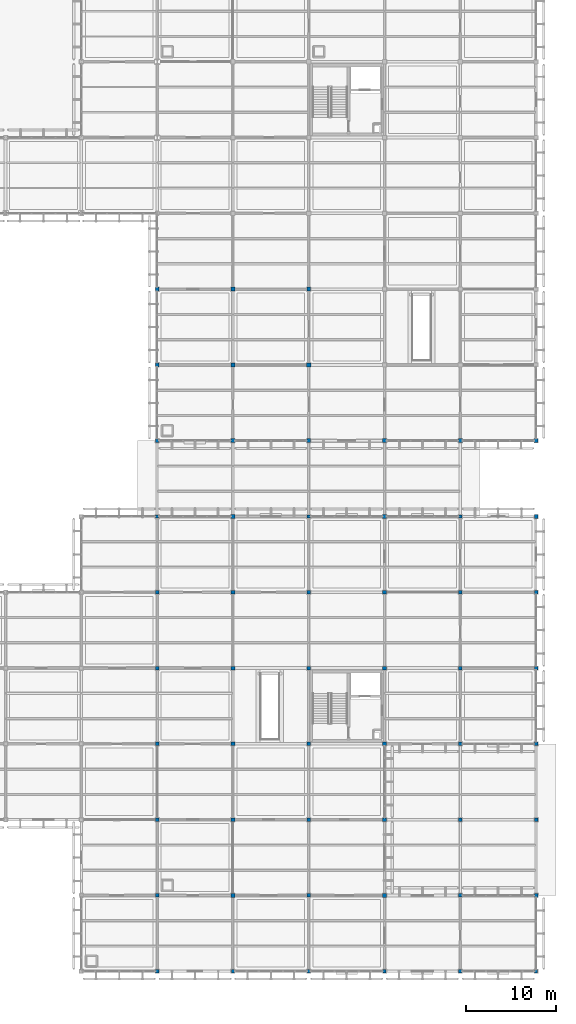
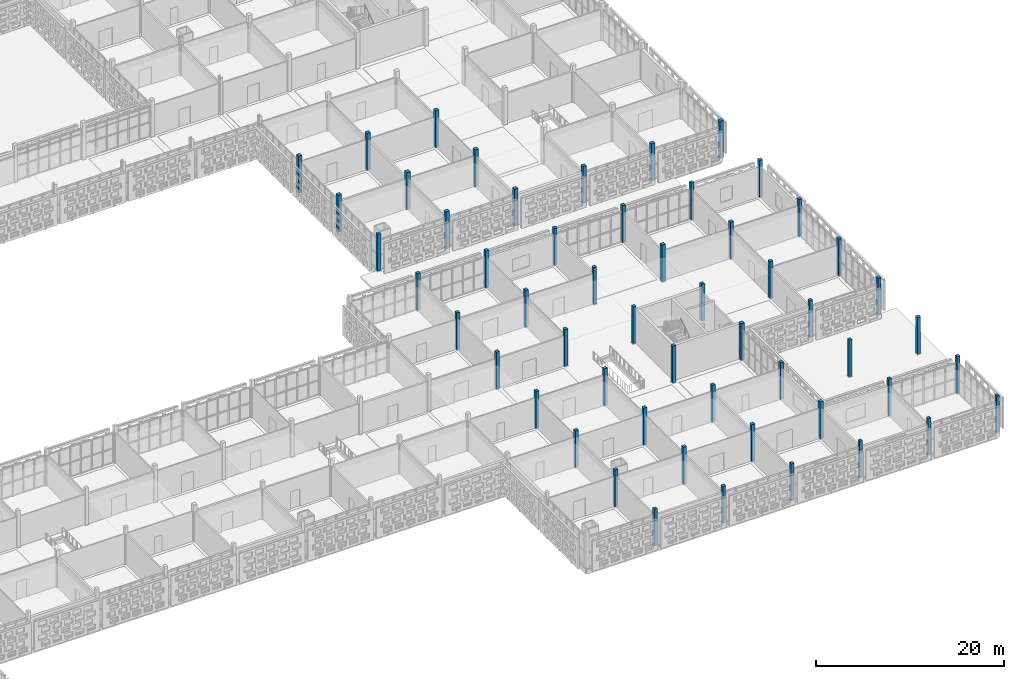
# One storey, part 11 of 203: 54 columns.
"""IFC4 building model written with IfcOpenShell, lengths in metres."""

import ifcopenshell
import ifcopenshell.guid

model = None  # the IFC model being written
_history = None  # IfcOwnerHistory: only IFC2X3 demands one
_inside = {}  # id of a spatial element -> (the spatial element, [elements in it])
_under = {}  # id of a project, library or spatial element -> (it, [spatial elements below it])
_declared = {}  # id of a project -> (the project, [libraries it declares])
_typed = {}  # id of a type object -> (the type object, [elements of that type])
_made_of = {}  # id of a material, layer set ... -> (it, [elements and type objects made of it])


def new_model(schema):
    """Start an empty IFC model of exactly this schema.

    Asked for "IFC4X3", IfcOpenShell would pick the latest addendum, in which some entities
    have other attributes; the version numbers below select the first issue.
    IFC2X3 requires an IfcOwnerHistory on every rooted entity: one is made here for all.
    """
    global model, _history
    if schema == "IFC4X3":
        model = ifcopenshell.file(schema_version=(4, 3, 0, 0))
    else:
        model = ifcopenshell.file(schema=schema)
    _inside.clear()
    _under.clear()
    _declared.clear()
    _typed.clear()
    _made_of.clear()
    _history = None
    if model.schema == "IFC2X3":
        org = make("IfcOrganization", Name="unknown")
        user = make(
            "IfcPersonAndOrganization",
            ThePerson=make("IfcPerson", FamilyName="unknown"),
            TheOrganization=org,
        )
        app = make(
            "IfcApplication",
            ApplicationDeveloper=org,
            Version="unknown",
            ApplicationFullName="unknown",
            ApplicationIdentifier="unknown",
        )
        _history = make(
            "IfcOwnerHistory",
            OwningUser=user,
            OwningApplication=app,
            ChangeAction="ADDED",
            CreationDate=0,
        )
    return model


def make(cls, **values):
    """One entity of the class cls with the attributes given. An attribute that is None is left unset."""
    return model.create_entity(
        cls, **{name: value for name, value in values.items() if value is not None}
    )


def rooted(cls, **values):
    """An entity with a GlobalId (a new one), such as an element, a storey or a relation."""
    return make(cls, GlobalId=ifcopenshell.guid.new(), OwnerHistory=_history, **values)


def si_unit(unit_type, name, prefix=None):
    """IfcSIUnit, for example si_unit("LENGTHUNIT", "METRE", prefix="MILLI")."""
    return make("IfcSIUnit", UnitType=unit_type, Prefix=prefix, Name=name)


def assignment(units):
    """IfcUnitAssignment: the units of a project."""
    return None if units is None else make("IfcUnitAssignment", Units=units)


def point(xyz):
    """IfcCartesianPoint."""
    return None if xyz is None else make("IfcCartesianPoint", Coordinates=xyz)


def direction(xyz):
    """IfcDirection."""
    return None if xyz is None else make("IfcDirection", DirectionRatios=xyz)


def frame(location, z_axis=None, x_axis=None):
    """IfcAxis2Placement3D, a coordinate frame: its origin and axes. An axis left out is left unset."""
    return make(
        "IfcAxis2Placement3D",
        Location=point(location),
        Axis=direction(z_axis),
        RefDirection=direction(x_axis),
    )


def frame_2d(location, x_axis=None):
    """IfcAxis2Placement2D, a coordinate frame in the plane: its origin and x axis."""
    return make(
        "IfcAxis2Placement2D", Location=point(location), RefDirection=direction(x_axis)
    )


def origin():
    """The frame at (0, 0, 0) with its axes left unset."""
    return frame((0.0, 0.0, 0.0))


def origin_2d():
    """The frame at (0, 0) in the plane with its x axis left unset."""
    return frame_2d((0.0, 0.0))


def place(relative_to, where):
    """IfcLocalPlacement: puts the frame where relative to a parent placement (None: the world)."""
    return make(
        "IfcLocalPlacement", PlacementRelTo=relative_to, RelativePlacement=where
    )


def context(
    kind, dimensions, precision=None, world=None, true_north=None, identifier=None
):
    """IfcGeometricRepresentationContext, for example the 3D "Model" context."""
    return make(
        "IfcGeometricRepresentationContext",
        ContextIdentifier=identifier,
        ContextType=kind,
        CoordinateSpaceDimension=dimensions,
        Precision=precision,
        WorldCoordinateSystem=world,
        TrueNorth=true_north,
    )


def subcontext(parent, identifier, kind, view, scale=None):
    """IfcGeometricRepresentationSubContext, for example "Body" below "Model"."""
    return make(
        "IfcGeometricRepresentationSubContext",
        ContextIdentifier=identifier,
        ContextType=kind,
        ParentContext=parent,
        TargetScale=scale,
        TargetView=view,
    )


def project(units=None, contexts=None):
    """IfcProject with its units and contexts."""
    return rooted(
        "IfcProject",
        Name="project",
        RepresentationContexts=contexts,
        UnitsInContext=assignment(units),
    )


def spatial(cls, under=None, at=None, **own):
    """A site, building, storey or space (cls), placed at a placement, below another one or the project."""
    s = rooted(cls, ObjectPlacement=at, **own)
    if under is not None:
        _under.setdefault(under.id(), (under, []))[1].append(s)
    return s


def profile(cls, at=None, kind="AREA", **sizes):
    """A parametric profile (cls). Its sizes go by their IFC names, for example OverallWidth=200.0."""
    return make(cls, ProfileType=kind, Position=at, **sizes)


def rectangle(**sizes):
    """IfcRectangleProfileDef."""
    return profile("IfcRectangleProfileDef", **sizes)


def extrude(swept, where, along, depth):
    """IfcExtrudedAreaSolid: the profile swept, set in the frame where, extruded along a direction by depth."""
    return make(
        "IfcExtrudedAreaSolid",
        SweptArea=swept,
        Position=where,
        ExtrudedDirection=direction(along),
        Depth=depth,
    )


def shape(context_of_items, identifier, shape_type, items):
    """IfcShapeRepresentation: the items that make up one representation, for example the "Body"."""
    return make(
        "IfcShapeRepresentation",
        ContextOfItems=context_of_items,
        RepresentationIdentifier=identifier,
        RepresentationType=shape_type,
        Items=items,
    )


def material(Name=None, Category=None):
    """IfcMaterial."""
    return make("IfcMaterial", Name=Name, Category=Category)


def material_profile(
    of_material, cross_section, Name=None, Category=None, Priority=None
):
    """IfcMaterialProfile: a cross section and its material."""
    return make(
        "IfcMaterialProfile",
        Name=Name,
        Material=of_material,
        Profile=cross_section,
        Priority=Priority,
        Category=Category,
    )


def profile_set(profiles, Name=None, composite=None):
    """IfcMaterialProfileSet."""
    return make(
        "IfcMaterialProfileSet",
        Name=Name,
        MaterialProfiles=profiles,
        CompositeProfile=composite,
    )


def made_of(thing, what):
    """Note that an element or type object is made of a material, layer set ...; save() writes the relation."""
    if what is not None:
        _made_of.setdefault(what.id(), (what, []))[1].append(thing)
    return thing


def type_object(cls, material=None, **own):
    """A type object (cls), such as IfcWallType, which elements share."""
    return made_of(rooted(cls, **own), material)


def element(
    cls,
    number,
    at=None,
    inside=None,
    cuts=None,
    type_object=None,
    material=None,
    context=None,
    identifier="Body",
    shape_type=None,
    held_by="IfcProductDefinitionShape",
    body=None,
    shapes=None,
    **own,
):
    """One element of the class cls, such as IfcWall. Its Tag is "e" and its number.

    at: its placement. inside: the storey or other place that contains it. cuts: it is an
    opening in that element (IfcRelVoidsElement). A single representation is given by context,
    identifier, shape_type and body (its items); several are given by shapes. held_by: the class
    of the entity that holds the representations. save() writes the other relations.
    """
    e = rooted(cls, Tag="e%d" % number, ObjectPlacement=at, **own)
    if body is not None:
        shapes = [shape(context, identifier, shape_type, body)]
    if shapes is not None:
        e.Representation = make(held_by, Representations=shapes)
    if inside is not None:
        _inside.setdefault(inside.id(), (inside, []))[1].append(e)
    if cuts is not None:
        rooted(
            "IfcRelVoidsElement", RelatingBuildingElement=cuts, RelatedOpeningElement=e
        )
    if type_object is not None:
        _typed.setdefault(type_object.id(), (type_object, []))[1].append(e)
    return made_of(e, material)


def aggregate(whole, parts):
    """IfcRelAggregates: a whole, such as a stair, and the parts it consists of."""
    return rooted("IfcRelAggregates", RelatingObject=whole, RelatedObjects=parts)


def save(model, path):
    """Write the relations noted so far, then the file.

    IfcRelAggregates (storeys below a building ...), IfcRelContainedInSpatialStructure (elements
    in a storey), IfcRelDefinesByType, IfcRelAssociatesMaterial and IfcRelDeclares: one each for
    every whole, place, type object, material and project.
    """
    for whole, parts in _under.values():
        aggregate(whole, parts)
    for where, things in _inside.values():
        rooted(
            "IfcRelContainedInSpatialStructure",
            RelatedElements=things,
            RelatingStructure=where,
        )
    for kind, things in _typed.values():
        rooted("IfcRelDefinesByType", RelatedObjects=things, RelatingType=kind)
    for what, things in _made_of.values():
        rooted("IfcRelAssociatesMaterial", RelatedObjects=things, RelatingMaterial=what)
    for by, libraries in _declared.values():
        rooted("IfcRelDeclares", RelatingContext=by, RelatedDefinitions=libraries)
    model.write(path)


model = new_model("IFC4")

# Units and contexts
model_context = context("Model", 3, precision=1e-05, world=origin(), true_north=direction((0.0, 1.0)))
body_context = subcontext(model_context, "Body", "Model", "MODEL_VIEW")
ifc_project = project(units=[si_unit("LENGTHUNIT", "METRE"), si_unit("AREAUNIT", "SQUARE_METRE"), si_unit("VOLUMEUNIT", "CUBIC_METRE"), si_unit("PLANEANGLEUNIT", "RADIAN"), si_unit("MASSUNIT", "GRAM", prefix="KILO")], contexts=[model_context])

# Site, building, storey
site_placement = place(None, origin())
site = spatial("IfcSite", under=ifc_project, at=site_placement, CompositionType="ELEMENT")
building_placement = place(site_placement, origin())
building = spatial("IfcBuilding", under=site, at=building_placement, Name="Varnapada Polytechnic", CompositionType="ELEMENT")
storey_placement = place(building_placement, frame((0.0, 0.0, 4.800048828125)))
storey = spatial("IfcBuildingStorey", under=building, at=storey_placement, Name="L01", CompositionType="ELEMENT", Elevation=4.800048828125)

# Columns
ifc_material = material(Name="Glulam GL32h", Category="wood")
ifc_material_profile_1 = material_profile(ifc_material, rectangle(XDim=0.4599609375, YDim=0.4599609375, at=origin_2d()), Name="GL 460x460")
ifc_profile_set_1 = profile_set([ifc_material_profile_1], Name="Glulam GL32h")
column_type_1 = type_object("IfcColumnType", Name="Column C-12 (GL 460x460)", PredefinedType="COLUMN", material=ifc_profile_set_1)
for number, where, z_axis, x_axis, name in (
    (1, (142.800048828125, 67.199951171875, 0.0), (0.0, 0.0, 1.0), (1.0, 0.0, 0.0), "L01 column 18/9"),
    (2, (151.199951171875, 67.199951171875, 0.0), (0.0, 0.0, 1.0), (1.0, 0.0, 0.0), "L01 column 19/9"),
):
    element("IfcColumn", number, at=place(storey_placement, frame(where, z_axis=z_axis, x_axis=x_axis)), inside=storey, type_object=column_type_1, Name=name, PredefinedType="COLUMN", context=body_context, shape_type="SweptSolid", body=[
        extrude(rectangle(XDim=0.4599609375, YDim=0.4599609375, at=origin_2d()), origin(), (0.0, 0.0, 1.0), 4.800048828125),
    ])
ifc_material_profile_2 = material_profile(ifc_material, rectangle(XDim=0.39990234375, YDim=0.39990234375, at=origin_2d()), Name="GL 400x400")
ifc_profile_set_2 = profile_set([ifc_material_profile_2], Name="Glulam GL32h")
column_type_2 = type_object("IfcColumnType", Name="Column C-13 (GL 400x400)", PredefinedType="COLUMN", material=ifc_profile_set_2)
for number, where, z_axis, x_axis, name in (
    (3, (142.800048828125, 8.39990234375, 0.0), (0.0, 0.0, 1.0), (1.0, 0.0, 0.0), "L01 column 18/2"),
    (4, (142.800048828125, 16.800048828125, 0.0), (0.0, 0.0, 1.0), (1.0, 0.0, 0.0), "L01 column 18/3"),
    (5, (142.800048828125, 25.199951171875, 0.0), (0.0, 0.0, 1.0), (1.0, 0.0, 0.0), "L01 column 18/4"),
    (6, (142.800048828125, 33.60009765625, 0.0), (0.0, 0.0, 1.0), (1.0, 0.0, 0.0), "L01 column 18/5"),
    (7, (142.800048828125, 42.0, 0.0), (0.0, 0.0, 1.0), (1.0, 0.0, 0.0), "L01 column 18/6"),
    (8, (142.800048828125, 50.39990234375, 0.0), (0.0, 0.0, 1.0), (1.0, 0.0, 0.0), "L01 column 18/7"),
    (9, (159.60009765625, 8.39990234375, 0.0), (0.0, 0.0, 1.0), (1.0, 0.0, 0.0), "L01 column 20/2"),
    (10, (159.60009765625, 16.800048828125, 0.0), (0.0, 0.0, 1.0), (1.0, 0.0, 0.0), "L01 column 20/3"),
    (11, (159.60009765625, 25.199951171875, 0.0), (0.0, 0.0, 1.0), (1.0, 0.0, 0.0), "L01 column 20/4"),
    (12, (159.60009765625, 33.60009765625, 0.0), (0.0, 0.0, 1.0), (1.0, 0.0, 0.0), "L01 column 20/5"),
    (13, (159.60009765625, 42.0, 0.0), (0.0, 0.0, 1.0), (1.0, 0.0, 0.0), "L01 column 20/6"),
    (14, (159.60009765625, 50.39990234375, 0.0), (0.0, 0.0, 1.0), (1.0, 0.0, 0.0), "L01 column 20/7"),
    (15, (176.39990234375, 8.39990234375, 0.0), (0.0, 0.0, 1.0), (1.0, 0.0, 0.0), "L01 column 22/2"),
    (16, (176.39990234375, 16.800048828125, 0.0), (0.0, 0.0, 1.0), (1.0, 0.0, 0.0), "L01 column 22/3"),
    (17, (176.39990234375, 25.199951171875, 0.0), (0.0, 0.0, 1.0), (1.0, 0.0, 0.0), "L01 column 22/4"),
    (18, (176.39990234375, 33.60009765625, 0.0), (0.0, 0.0, 1.0), (1.0, 0.0, 0.0), "L01 column 22/5"),
    (19, (176.39990234375, 42.0, 0.0), (0.0, 0.0, 1.0), (1.0, 0.0, 0.0), "L01 column 22/6"),
    (20, (176.39990234375, 50.39990234375, 0.0), (0.0, 0.0, 1.0), (1.0, 0.0, 0.0), "L01 column 22/7"),
):
    element("IfcColumn", number, at=place(storey_placement, frame(where, z_axis=z_axis, x_axis=x_axis)), inside=storey, type_object=column_type_2, Name=name, PredefinedType="COLUMN", context=body_context, shape_type="SweptSolid", body=[
        extrude(rectangle(XDim=0.39990234375, YDim=0.39990234375, at=origin_2d()), origin(), (0.0, 0.0, 1.0), 4.800048828125),
    ])
ifc_material_profile_3 = material_profile(ifc_material, rectangle(XDim=0.360107421875, YDim=0.360107421875, at=origin_2d()), Name="GL 360x360")
ifc_profile_set_3 = profile_set([ifc_material_profile_3], Name="Glulam GL32h")
column_type_3 = type_object("IfcColumnType", Name="Column C-14 (GL 360x360)", PredefinedType="COLUMN", material=ifc_profile_set_3)
for number, where, z_axis, x_axis, name in (
    (21, (134.39990234375, 0.0, 0.0), (0.0, 0.0, 1.0), (1.0, 0.0, 0.0), "L01 column 17/1"),
    (22, (142.800048828125, 0.0, 0.0), (0.0, 0.0, 1.0), (1.0, 0.0, 0.0), "L01 column 18/1"),
    (23, (151.199951171875, 0.0, 0.0), (0.0, 0.0, 1.0), (1.0, 0.0, 0.0), "L01 column 19/1"),
    (24, (159.60009765625, 0.0, 0.0), (0.0, 0.0, 1.0), (1.0, 0.0, 0.0), "L01 column 20/1"),
    (25, (168.0, 0.0, 0.0), (0.0, 0.0, 1.0), (1.0, 0.0, 0.0), "L01 column 21/1"),
    (26, (176.39990234375, 0.0, 0.0), (0.0, 0.0, 1.0), (1.0, 0.0, 0.0), "L01 column 22/1"),
):
    element("IfcColumn", number, at=place(storey_placement, frame(where, z_axis=z_axis, x_axis=x_axis)), inside=storey, type_object=column_type_3, Name=name, PredefinedType="COLUMN", context=body_context, shape_type="SweptSolid", body=[
        extrude(rectangle(XDim=0.360107421875, YDim=0.360107421875, at=origin_2d()), origin(), (0.0, 0.0, 1.0), 4.800048828125),
    ])
ifc_material_profile_4 = material_profile(ifc_material, rectangle(XDim=0.419921875, YDim=0.419921875, at=origin_2d()), Name="GL 420x420")
ifc_profile_set_4 = profile_set([ifc_material_profile_4], Name="Glulam GL32h")
column_type_4 = type_object("IfcColumnType", Name="Column C-23 (GL 420x420)", PredefinedType="COLUMN", material=ifc_profile_set_4)
for number, where, z_axis, x_axis, name in (
    (27, (134.39990234375, 67.199951171875, 0.0), (0.0, 0.0, 1.0), (1.0, 0.0, 0.0), "L01 column 17/9"),
    (28, (134.39990234375, 75.60009765625, 0.0), (0.0, 0.0, 1.0), (1.0, 0.0, 0.0), "L01 column 17/10"),
):
    element("IfcColumn", number, at=place(storey_placement, frame(where, z_axis=z_axis, x_axis=x_axis)), inside=storey, type_object=column_type_4, Name=name, PredefinedType="COLUMN", context=body_context, shape_type="SweptSolid", body=[
        extrude(rectangle(XDim=0.419921875, YDim=0.419921875, at=origin_2d()), origin(), (0.0, 0.0, 1.0), 4.800048828125),
    ])
ifc_material_profile_5 = material_profile(ifc_material, rectangle(XDim=0.3798828125, YDim=0.3798828125, at=origin_2d()), Name="GL 380x380")
ifc_profile_set_5 = profile_set([ifc_material_profile_5], Name="Glulam GL32h")
column_type_5 = type_object("IfcColumnType", Name="Column C-24 (GL 380x380)", PredefinedType="COLUMN", material=ifc_profile_set_5)
for number, where, z_axis, x_axis, name in (
    (29, (134.39990234375, 8.39990234375, 0.0), (0.0, 0.0, 1.0), (1.0, 0.0, 0.0), "L01 column 17/2"),
    (30, (134.39990234375, 16.800048828125, 0.0), (0.0, 0.0, 1.0), (1.0, 0.0, 0.0), "L01 column 17/3"),
    (31, (134.39990234375, 25.199951171875, 0.0), (0.0, 0.0, 1.0), (1.0, 0.0, 0.0), "L01 column 17/4"),
    (32, (134.39990234375, 33.60009765625, 0.0), (0.0, 0.0, 1.0), (1.0, 0.0, 0.0), "L01 column 17/5"),
    (33, (134.39990234375, 42.0, 0.0), (0.0, 0.0, 1.0), (1.0, 0.0, 0.0), "L01 column 17/6"),
    (34, (134.39990234375, 50.39990234375, 0.0), (0.0, 0.0, 1.0), (1.0, 0.0, 0.0), "L01 column 17/7"),
    (35, (134.39990234375, 58.800048828125, 0.0), (0.0, 0.0, 1.0), (1.0, 0.0, 0.0), "L01 column 17/8"),
    (36, (151.199951171875, 8.39990234375, 0.0), (0.0, 0.0, 1.0), (1.0, 0.0, 0.0), "L01 column 19/2"),
    (37, (151.199951171875, 16.800048828125, 0.0), (0.0, 0.0, 1.0), (1.0, 0.0, 0.0), "L01 column 19/3"),
    (38, (151.199951171875, 25.199951171875, 0.0), (0.0, 0.0, 1.0), (1.0, 0.0, 0.0), "L01 column 19/4"),
    (39, (151.199951171875, 33.60009765625, 0.0), (0.0, 0.0, 1.0), (1.0, 0.0, 0.0), "L01 column 19/5"),
    (40, (151.199951171875, 42.0, 0.0), (0.0, 0.0, 1.0), (1.0, 0.0, 0.0), "L01 column 19/6"),
    (41, (151.199951171875, 50.39990234375, 0.0), (0.0, 0.0, 1.0), (1.0, 0.0, 0.0), "L01 column 19/7"),
    (42, (168.0, 8.39990234375, 0.0), (0.0, 0.0, 1.0), (1.0, 0.0, 0.0), "L01 column 21/2"),
    (43, (168.0, 16.800048828125, 0.0), (0.0, 0.0, 1.0), (1.0, 0.0, 0.0), "L01 column 21/3"),
    (44, (168.0, 25.199951171875, 0.0), (0.0, 0.0, 1.0), (1.0, 0.0, 0.0), "L01 column 21/4"),
    (45, (168.0, 33.60009765625, 0.0), (0.0, 0.0, 1.0), (1.0, 0.0, 0.0), "L01 column 21/5"),
    (46, (168.0, 42.0, 0.0), (0.0, 0.0, 1.0), (1.0, 0.0, 0.0), "L01 column 21/6"),
    (47, (168.0, 50.39990234375, 0.0), (0.0, 0.0, 1.0), (1.0, 0.0, 0.0), "L01 column 21/7"),
):
    element("IfcColumn", number, at=place(storey_placement, frame(where, z_axis=z_axis, x_axis=x_axis)), inside=storey, type_object=column_type_5, Name=name, PredefinedType="COLUMN", context=body_context, shape_type="SweptSolid", body=[
        extrude(rectangle(XDim=0.3798828125, YDim=0.3798828125, at=origin_2d()), origin(), (0.0, 0.0, 1.0), 4.800048828125),
    ])
ifc_material_profile_6 = material_profile(ifc_material, rectangle(XDim=0.43994140625, YDim=0.43994140625, at=origin_2d()), Name="GL 440x440")
ifc_profile_set_6 = profile_set([ifc_material_profile_6], Name="Glulam GL32h")
column_type_6 = type_object("IfcColumnType", Name="Column C-26 (GL 440x440)", PredefinedType="COLUMN", material=ifc_profile_set_6)
for number, where, z_axis, x_axis, name in (
    (48, (142.800048828125, 58.800048828125, 0.0), (0.0, 0.0, 1.0), (1.0, 0.0, 0.0), "L01 column 18/8"),
    (49, (142.800048828125, 75.60009765625, 0.0), (0.0, 0.0, 1.0), (1.0, 0.0, 0.0), "L01 column 18/10"),
    (50, (151.199951171875, 58.800048828125, 0.0), (0.0, 0.0, 1.0), (1.0, 0.0, 0.0), "L01 column 19/8"),
    (51, (151.199951171875, 75.60009765625, 0.0), (0.0, 0.0, 1.0), (1.0, 0.0, 0.0), "L01 column 19/10"),
    (52, (159.60009765625, 58.800048828125, 0.0), (0.0, 0.0, 1.0), (1.0, 0.0, 0.0), "L01 column 20/8"),
    (53, (168.0, 58.800048828125, 0.0), (0.0, 0.0, 1.0), (1.0, 0.0, 0.0), "L01 column 21/8"),
    (54, (176.39990234375, 58.800048828125, 0.0), (0.0, 0.0, 1.0), (1.0, 0.0, 0.0), "L01 column 22/8"),
):
    element("IfcColumn", number, at=place(storey_placement, frame(where, z_axis=z_axis, x_axis=x_axis)), inside=storey, type_object=column_type_6, Name=name, PredefinedType="COLUMN", context=body_context, shape_type="SweptSolid", body=[
        extrude(rectangle(XDim=0.43994140625, YDim=0.43994140625, at=origin_2d()), origin(), (0.0, 0.0, 1.0), 4.800048828125),
    ])

save(model, "model.ifc")
